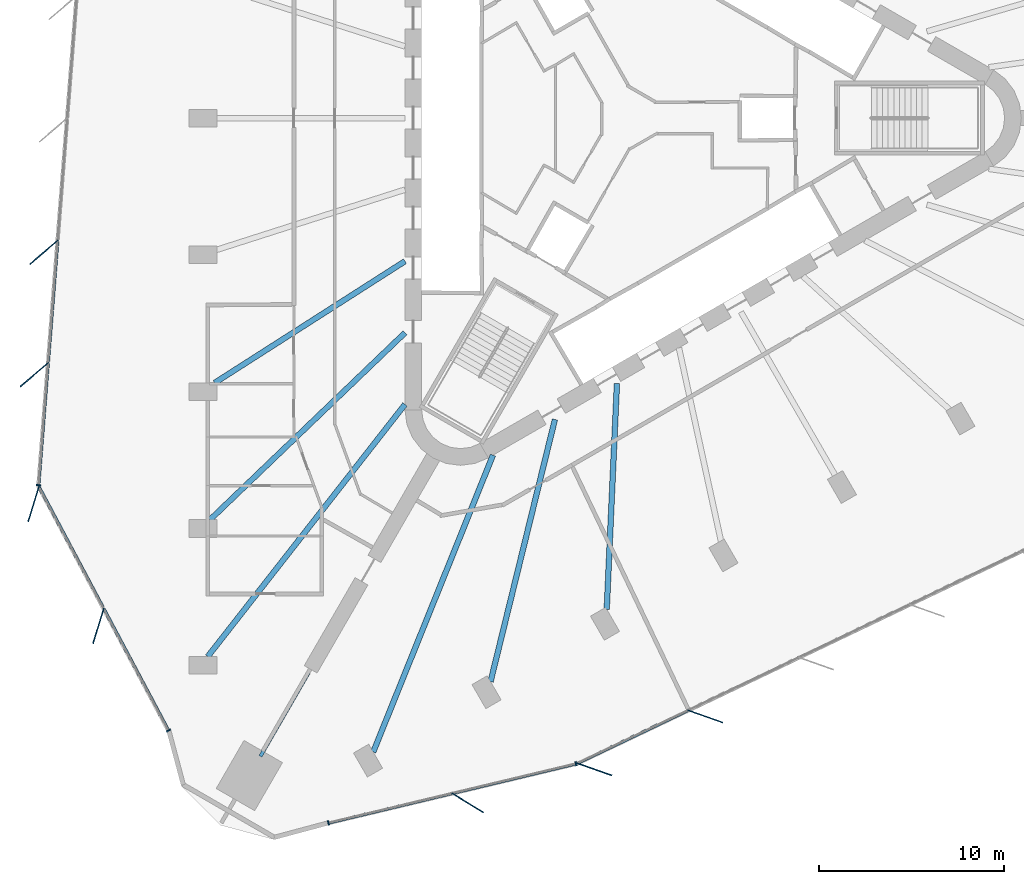
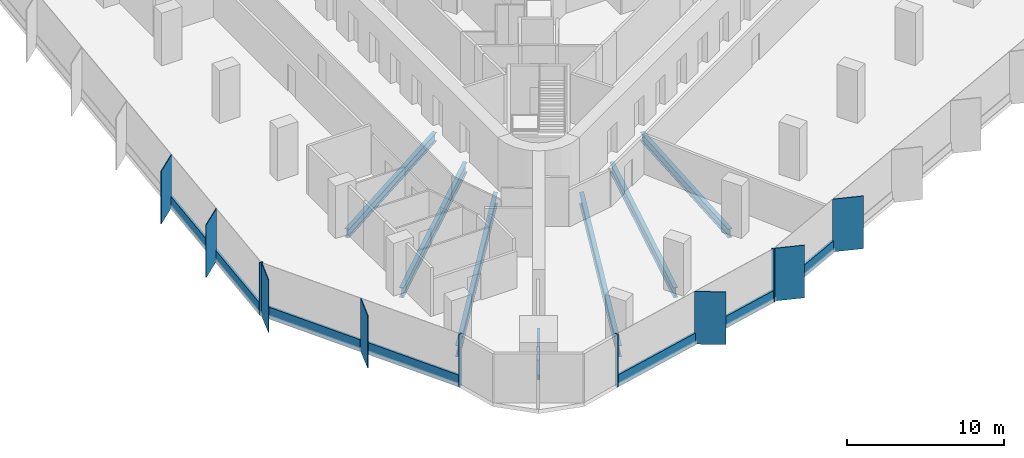
# One storey, part 2 of 15: 18 members, 7 beams, 4 elements without a shape of their own.
"""IFC4 building model written with IfcOpenShell, lengths in metres."""

from ifc_helpers import new_model, si_unit, direction, frame, origin, origin_2d, place, context, subcontext, project, spatial, rectangle, i_section, extrude, material, material_profile, profile_set, type_object, element, aggregate, save


model = new_model("IFC4")

# Units and contexts
model_context = context("Model", 3, precision=1e-05, world=origin(), true_north=direction((0.0, 1.0)))
body_context = subcontext(model_context, "Body", "Model", "MODEL_VIEW")
ifc_project = project(units=[si_unit("LENGTHUNIT", "METRE"), si_unit("AREAUNIT", "SQUARE_METRE"), si_unit("VOLUMEUNIT", "CUBIC_METRE"), si_unit("PLANEANGLEUNIT", "RADIAN"), si_unit("MASSUNIT", "GRAM", prefix="KILO")], contexts=[model_context])

# Site, building, storey
site_placement = place(None, origin())
site = spatial("IfcSite", under=ifc_project, at=site_placement, CompositionType="ELEMENT")
building_placement = place(site_placement, origin())
building = spatial("IfcBuilding", under=site, at=building_placement, Name="Tanit Gate Tower", CompositionType="ELEMENT")
storey_placement = place(building_placement, frame((0.0, 0.0, 94.699951171875)))
storey = spatial("IfcBuildingStorey", under=building, at=storey_placement, Name="L19", CompositionType="ELEMENT", Elevation=94.699951171875)

# Curtain wall, members
ifc_material_1 = material(Name="Aluminium bronze anodised and glass", Category="aluminium")
curtain_wall_type = type_object("IfcCurtainWallType", Name="Curtain wall typical low", PredefinedType="NOTDEFINED", material=ifc_material_1)
curtain_wall_1_placement = place(storey_placement, origin())
curtain_wall_1 = element("IfcCurtainWall", 1, at=curtain_wall_1_placement, inside=storey, type_object=curtain_wall_type, Name="Curtain wall L19 W2", PredefinedType="NOTDEFINED")
ifc_material_2 = material(Name="Aluminium bronze anodised", Category="aluminium")
ifc_material_profile_1 = material_profile(ifc_material_2, rectangle(XDim=2.0, YDim=0.055908203125, at=origin_2d()), Name="56x2000 bronze fin mullion")
ifc_profile_set_1 = profile_set([ifc_material_profile_1], Name="Aluminium bronze anodised")
member_type_1 = type_object("IfcMemberType", Name="FIN MULLION 56x2000 bronze", PredefinedType="MULLION", material=ifc_profile_set_1)
member_1_placement = place(storey_placement, frame((-31.606689453125, -7.2470703125, -0.300048828125), z_axis=(0.0, 0.0, 1.0), x_axis=(0.760001580735, 0.649921223903, 0.0)))
member_1 = element("IfcMember", 2, at=member_1_placement, type_object=member_type_1, Name="Fin mullion L19 W2.5", PredefinedType="MULLION", context=body_context, shape_type="SweptSolid", body=[
    extrude(rectangle(XDim=2.0, YDim=0.055908203125, at=origin_2d()), origin(), (0.0, 0.0, 1.0), 4.10009765625),
])
member_2_placement = place(storey_placement, frame((-32.123046875, -13.860595703125, -0.300048828125), z_axis=(0.0, 0.0, 1.0), x_axis=(0.760001580735, 0.649921223903, 0.0)))
member_2 = element("IfcMember", 3, at=member_2_placement, type_object=member_type_1, Name="Fin mullion L19 W2.6", PredefinedType="MULLION", context=body_context, shape_type="SweptSolid", body=[
    extrude(rectangle(XDim=2.0, YDim=0.055908203125, at=origin_2d()), origin(), (0.0, 0.0, 1.0), 4.10009765625),
])

curtain_wall_2_placement = place(storey_placement, origin())
curtain_wall_2 = element("IfcCurtainWall", 4, at=curtain_wall_2_placement, inside=storey, type_object=curtain_wall_type, Name="Curtain wall L19 W3", PredefinedType="NOTDEFINED")
member_3_placement = place(storey_placement, frame((-32.166748046875, -20.8486328125, -0.300048828125), z_axis=(0.0, 0.0, 1.0), x_axis=(0.292453863033, 0.956279633788, 0.0)))
member_3 = element("IfcMember", 5, at=member_3_placement, type_object=member_type_1, Name="Fin mullion L19 W3.1", PredefinedType="MULLION", context=body_context, shape_type="SweptSolid", body=[
    extrude(rectangle(XDim=2.0, YDim=0.055908203125, at=origin_2d()), origin(), (0.0, 0.0, 1.0), 4.10009765625),
])
member_4_placement = place(storey_placement, frame((-28.663330078125, -27.438720703125, -0.300048828125), z_axis=(0.0, 0.0, 1.0), x_axis=(0.292453863033, 0.956279633788, 0.0)))
member_4 = element("IfcMember", 6, at=member_4_placement, type_object=member_type_1, Name="Fin mullion L19 W3.2", PredefinedType="MULLION", context=body_context, shape_type="SweptSolid", body=[
    extrude(rectangle(XDim=2.0, YDim=0.055908203125, at=origin_2d()), origin(), (0.0, 0.0, 1.0), 4.10009765625),
])

# Curtain wall, member
curtain_wall_3_placement = place(storey_placement, origin())
curtain_wall_3 = element("IfcCurtainWall", 7, at=curtain_wall_3_placement, inside=storey, type_object=curtain_wall_type, Name="Curtain wall L19 SE1", PredefinedType="NOTDEFINED")
member_5_placement = place(storey_placement, frame((-8.71484375, -36.99755859375, -0.300048828125), z_axis=(0.0, 0.0, 1.0), x_axis=(-0.852082941543, 0.52340678323, 0.0)))
member_5 = element("IfcMember", 8, at=member_5_placement, type_object=member_type_1, Name="Fin mullion L19 SE1.2", PredefinedType="MULLION", context=body_context, shape_type="SweptSolid", body=[
    extrude(rectangle(XDim=2.0, YDim=0.055908203125, at=origin_2d()), origin(), (0.0, 0.0, 1.0), 4.10009765625),
])

# Curtain wall, members
curtain_wall_4_placement = place(storey_placement, origin())
curtain_wall_4 = element("IfcCurtainWall", 9, at=curtain_wall_4_placement, inside=storey, type_object=curtain_wall_type, Name="Curtain wall L19 SE2", PredefinedType="NOTDEFINED")
member_6_placement = place(storey_placement, frame((-1.86328125, -35.18701171875, -0.300048828125), z_axis=(0.0, 0.0, 1.0), x_axis=(-0.942849080727, 0.333220063881, 0.0)))
member_6 = element("IfcMember", 10, at=member_6_placement, type_object=member_type_1, Name="Fin mullion L19 SE2.1", PredefinedType="MULLION", context=body_context, shape_type="SweptSolid", body=[
    extrude(rectangle(XDim=2.0, YDim=0.055908203125, at=origin_2d()), origin(), (0.0, 0.0, 1.0), 4.10009765625),
])
member_7_placement = place(storey_placement, frame((4.122314453125, -32.327392578125, -0.300048828125), z_axis=(0.0, 0.0, 1.0), x_axis=(-0.942849080727, 0.333220063881, 0.0)))
member_7 = element("IfcMember", 11, at=member_7_placement, type_object=member_type_1, Name="Fin mullion L19 SE2.2", PredefinedType="MULLION", context=body_context, shape_type="SweptSolid", body=[
    extrude(rectangle(XDim=2.0, YDim=0.055908203125, at=origin_2d()), origin(), (0.0, 0.0, 1.0), 4.10009765625),
])

# Member
ifc_material_3 = material(Name="Aluminium bronze anodised", Category="aluminium")
ifc_material_profile_2 = material_profile(ifc_material_3, rectangle(XDim=0.239990234375, YDim=0.080078125, at=origin_2d()), Name="80x240 bronze mullion")
ifc_profile_set_2 = profile_set([ifc_material_profile_2], Name="Aluminium bronze anodised")
member_type_2 = type_object("IfcMemberType", Name="Mullion 80x240 typical low", PredefinedType="MULLION", material=ifc_profile_set_2)
member_8_placement = place(storey_placement, frame((-31.896484375, -19.8388671875, -0.300048828125), z_axis=(0.0, 0.0, 1.0), x_axis=(0.996965976109, -0.077838566791, 0.0)))
member_8 = element("IfcMember", 12, at=member_8_placement, type_object=member_type_2, Name="Mullion L19 W2.7", PredefinedType="MULLION", context=body_context, shape_type="SweptSolid", body=[
    extrude(rectangle(XDim=0.239990234375, YDim=0.080078125, at=origin_2d()), origin(), (0.0, 0.0, 1.0), 4.10009765625),
])

member_9_placement = place(storey_placement, frame((-24.874267578125, -33.093994140625, -0.300048828125), z_axis=(0.0, 0.0, 1.0), x_axis=(0.882987923497, 0.469395704027, 0.0)))
member_9 = element("IfcMember", 13, at=member_9_placement, type_object=member_type_2, Name="Mullion L19 W3.3", PredefinedType="MULLION", context=body_context, shape_type="SweptSolid", body=[
    extrude(rectangle(XDim=0.239990234375, YDim=0.080078125, at=origin_2d()), origin(), (0.0, 0.0, 1.0), 4.10009765625),
])

member_10_placement = place(storey_placement, frame((-16.23583984375, -38.083984375, -0.300048828125), z_axis=(0.0, 0.0, 1.0), x_axis=(-0.232409140358, 0.972618111839, 0.0)))
member_10 = element("IfcMember", 14, at=member_10_placement, type_object=member_type_2, Name="Mullion L19 SE1.1", PredefinedType="MULLION", context=body_context, shape_type="SweptSolid", body=[
    extrude(rectangle(XDim=0.239990234375, YDim=0.080078125, at=origin_2d()), origin(), (0.0, 0.0, 1.0), 4.10009765625),
])

member_11_placement = place(storey_placement, frame((-2.859619140625, -34.8876953125, -0.300048828125), z_axis=(0.0, 0.0, 1.0), x_axis=(-0.232409140358, 0.972618111839, 0.0)))
member_11 = element("IfcMember", 15, at=member_11_placement, type_object=member_type_2, Name="Mullion L19 SE1.3", PredefinedType="MULLION", context=body_context, shape_type="SweptSolid", body=[
    extrude(rectangle(XDim=0.239990234375, YDim=0.080078125, at=origin_2d()), origin(), (0.0, 0.0, 1.0), 4.10009765625),
])

# Beams
ifc_material_4 = material(Name="Steel S355", Category="steel")
ifc_material_profile_3 = material_profile(ifc_material_4, i_section(OverallWidth=0.300048828125, OverallDepth=0.68994140625, WebThickness=0.014404296875, FlangeThickness=0.027099609375, FilletRadius=0.027099609375, at=origin_2d()), Name="HEA 700")
ifc_profile_set_3 = profile_set([ifc_material_profile_3], Name="Steel S355")
beam_type_1 = type_object("IfcBeamType", Name="RADIAL GIRDER HEA 700 S355", PredefinedType="BEAM", material=ifc_profile_set_3)
for number, where, z_axis, x_axis, name in (
    (16, (-22.3837890625, -14.307861328125, -0.64501953125), (0.842570670287, 0.538585801494, 0.0), (-0.538585801494, 0.842570670287, 0.0), "RADIAL GIRDER"),
    (17, (-1.19921875, -26.538818359375, -0.64501953125), (0.045135401382, 0.998980878467, 0.0), (-0.998980878467, 0.045135401382, 0.0), "RADIAL GIRDER"),
):
    element("IfcBeam", number, at=place(storey_placement, frame(where, z_axis=z_axis, x_axis=x_axis)), inside=storey, type_object=beam_type_1, Name=name, PredefinedType="BEAM", context=body_context, shape_type="SweptSolid", body=[
        extrude(i_section(OverallWidth=0.300048828125, OverallDepth=0.68994140625, WebThickness=0.014404296875, FlangeThickness=0.027099609375, FilletRadius=0.027099609375, at=origin_2d()), origin(), (0.0, 0.0, 1.0), 12.202880859375),
    ])
ifc_material_5 = material(Name="Steel S355", Category="steel")
ifc_material_profile_4 = material_profile(ifc_material_5, i_section(OverallWidth=0.300048828125, OverallDepth=0.7900390625, WebThickness=0.014892578125, FlangeThickness=0.028076171875, FilletRadius=0.030029296875, at=origin_2d()), Name="HEA 800")
ifc_profile_set_4 = profile_set([ifc_material_profile_4], Name="Steel S355")
beam_type_2 = type_object("IfcBeamType", Name="RADIAL GIRDER HEA 800 S355", PredefinedType="BEAM", material=ifc_profile_set_4)
for number, where, z_axis, x_axis, name in (
    (18, (-22.63134765625, -21.69921875, -0.695068359375), (0.721812607452, 0.692088549048, 0.0), (-0.692088549048, 0.721812607452, 0.0), "RADIAL GIRDER"),
    (19, (-7.476318359375, -30.44921875, -0.695068359375), (0.238441937153, 0.97115675491, 0.0), (-0.97115675491, 0.238441937153, 0.0), "RADIAL GIRDER"),
):
    element("IfcBeam", number, at=place(storey_placement, frame(where, z_axis=z_axis, x_axis=x_axis)), inside=storey, type_object=beam_type_2, Name=name, PredefinedType="BEAM", context=body_context, shape_type="SweptSolid", body=[
        extrude(i_section(OverallWidth=0.300048828125, OverallDepth=0.7900390625, WebThickness=0.014892578125, FlangeThickness=0.028076171875, FilletRadius=0.030029296875, at=origin_2d()), origin(), (0.0, 0.0, 1.0), 14.58740234375),
    ])
ifc_material_6 = material(Name="Steel S355", Category="steel")
ifc_material_profile_5 = material_profile(ifc_material_6, i_section(OverallWidth=0.300048828125, OverallDepth=0.889892578125, WebThickness=0.01611328125, FlangeThickness=0.030029296875, FilletRadius=0.030029296875, at=origin_2d()), Name="HEA 900")
ifc_profile_set_5 = profile_set([ifc_material_profile_5], Name="Steel S355")
beam_type_3 = type_object("IfcBeamType", Name="RADIAL GIRDER HEA 900 S355", PredefinedType="BEAM", material=ifc_profile_set_5)
for number, where, z_axis, x_axis, name in (
    (20, (-22.755126953125, -29.0908203125, -0.744873046875), (0.616108365998, 0.787661400188, 0.0), (-0.787661400188, 0.616108365998, 0.0), "RADIAL GIRDER"),
    (21, (-13.815673828125, -34.251953125, -0.744873046875), (0.374069410217, 0.927400709693, 0.0), (-0.927400709693, 0.374069410217, 0.0), "RADIAL GIRDER"),
):
    element("IfcBeam", number, at=place(storey_placement, frame(where, z_axis=z_axis, x_axis=x_axis)), inside=storey, type_object=beam_type_3, Name=name, PredefinedType="BEAM", context=body_context, shape_type="SweptSolid", body=[
        extrude(i_section(OverallWidth=0.300048828125, OverallDepth=0.889892578125, WebThickness=0.01611328125, FlangeThickness=0.030029296875, FilletRadius=0.030029296875, at=origin_2d()), origin(), (0.0, 0.0, 1.0), 17.291015625),
    ])
ifc_material_7 = material(Name="Steel S355", Category="steel")
ifc_material_profile_6 = material_profile(ifc_material_7, i_section(OverallWidth=0.179931640625, OverallDepth=0.39990234375, WebThickness=0.008544921875, FlangeThickness=0.013427734375, FilletRadius=0.02099609375, at=origin_2d()), Name="IPE 400")
ifc_profile_set_6 = profile_set([ifc_material_profile_6], Name="Steel S355")
beam_type_4 = type_object("IfcBeamType", Name="RADIAL GIRDER IPE 400 S355", PredefinedType="BEAM", material=ifc_profile_set_6)
beam_placement = place(storey_placement, frame((-19.9091796875, -34.483642578125, -0.5), z_axis=(0.500022437694, 0.866012448988, 0.0), x_axis=(-0.866012448988, 0.500022437694, 0.0)))
element("IfcBeam", 22, at=beam_placement, inside=storey, type_object=beam_type_4, Name="RADIAL GIRDER", PredefinedType="BEAM", context=body_context, shape_type="SweptSolid", body=[
    extrude(i_section(OverallWidth=0.179931640625, OverallDepth=0.39990234375, WebThickness=0.008544921875, FlangeThickness=0.013427734375, FilletRadius=0.02099609375, at=origin_2d()), origin(), (0.0, 0.0, 1.0), 5.213134765625),
])

# Member
ifc_material_8 = material(Name="Aluminium bronze anodised", Category="aluminium")
ifc_material_profile_7 = material_profile(ifc_material_8, rectangle(XDim=0.159912109375, YDim=0.89990234375, at=origin_2d()), Name="160x900 bronze transom")
ifc_profile_set_7 = profile_set([ifc_material_profile_7], Name="Aluminium bronze anodised")
member_type_3 = type_object("IfcMemberType", Name="Transom 160x900 typical low", PredefinedType="USERDEFINED", material=ifc_profile_set_7)
member_12_placement = place(storey_placement, frame((-30.866943359375, -6.651611328125, 0.150146484375), z_axis=(-0.077821712604, -0.996967291864, 0.0), x_axis=(0.996967291864, -0.077821712604, 0.0)))
member_12 = element("IfcMember", 23, at=member_12_placement, type_object=member_type_3, Name="Transom L19 W2.5", ObjectType="TRANSOM", PredefinedType="USERDEFINED", context=body_context, shape_type="SweptSolid", body=[
    extrude(rectangle(XDim=0.159912109375, YDim=0.89990234375, at=origin_2d()), origin(), (0.0, 0.0, 1.0), 6.553466796875),
])

member_13_placement = place(storey_placement, frame((-31.38330078125, -13.26513671875, 0.150146484375), z_axis=(-0.077821712604, -0.996967291864, 0.0), x_axis=(0.996967291864, -0.077821712604, 0.0)))
member_13 = element("IfcMember", 24, at=member_13_placement, type_object=member_type_3, Name="Transom L19 W2.6", ObjectType="TRANSOM", PredefinedType="USERDEFINED", context=body_context, shape_type="SweptSolid", body=[
    extrude(rectangle(XDim=0.159912109375, YDim=0.89990234375, at=origin_2d()), origin(), (0.0, 0.0, 1.0), 6.553466796875),
])

aggregate(curtain_wall_1, [member_1, member_2, member_8, member_12, member_13])

member_14_placement = place(storey_placement, frame((-31.862060546875, -19.94921875, 0.150146484375), z_axis=(0.469400190999, -0.882985538211, 0.0), x_axis=(0.882985538211, 0.469400190999, 0.0)))
member_14 = element("IfcMember", 25, at=member_14_placement, type_object=member_type_3, Name="Transom L19 W3.1", ObjectType="TRANSOM", PredefinedType="USERDEFINED", context=body_context, shape_type="SweptSolid", body=[
    extrude(rectangle(XDim=0.159912109375, YDim=0.89990234375, at=origin_2d()), origin(), (0.0, 0.0, 1.0), 7.383544921875),
])

member_15_placement = place(storey_placement, frame((-28.35888671875, -26.539306640625, 0.150146484375), z_axis=(0.469413896188, -0.882978252318, 0.0), x_axis=(0.882978252318, 0.469413896188, 0.0)))
member_15 = element("IfcMember", 26, at=member_15_placement, type_object=member_type_3, Name="Transom L19 W3.2", ObjectType="TRANSOM", PredefinedType="USERDEFINED", context=body_context, shape_type="SweptSolid", body=[
    extrude(rectangle(XDim=0.159912109375, YDim=0.89990234375, at=origin_2d()), origin(), (0.0, 0.0, 1.0), 7.38330078125),
])

aggregate(curtain_wall_2, [member_3, member_4, member_9, member_14, member_15])

member_16_placement = place(storey_placement, frame((-16.19677734375, -38.07470703125, 0.150146484375), z_axis=(0.972615091914, 0.232421778197, 0.0), x_axis=(-0.232421778197, 0.972615091914, 0.0)))
member_16 = element("IfcMember", 27, at=member_16_placement, type_object=member_type_3, Name="Transom L19 SE1.1", ObjectType="TRANSOM", PredefinedType="USERDEFINED", context=body_context, shape_type="SweptSolid", body=[
    extrude(rectangle(XDim=0.159912109375, YDim=0.89990234375, at=origin_2d()), origin(), (0.0, 0.0, 1.0), 6.796142578125),
])

member_17_placement = place(storey_placement, frame((-9.5087890625, -36.4765625, 0.150146484375), z_axis=(0.972615091914, 0.232421778197, 0.0), x_axis=(-0.232421778197, 0.972615091914, 0.0)))
member_17 = element("IfcMember", 28, at=member_17_placement, type_object=member_type_3, Name="Transom L19 SE1.2", ObjectType="TRANSOM", PredefinedType="USERDEFINED", context=body_context, shape_type="SweptSolid", body=[
    extrude(rectangle(XDim=0.159912109375, YDim=0.89990234375, at=origin_2d()), origin(), (0.0, 0.0, 1.0), 6.796142578125),
])

aggregate(curtain_wall_3, [member_10, member_5, member_11, member_16, member_17])

member_18_placement = place(storey_placement, frame((-2.74853515625, -34.843994140625, 0.150146484375), z_axis=(0.902322009414, 0.4310626304, 0.0), x_axis=(-0.4310626304, 0.902322009414, 0.0)))
member_18 = element("IfcMember", 29, at=member_18_placement, type_object=member_type_3, Name="Transom L19 SE2.1", ObjectType="TRANSOM", PredefinedType="USERDEFINED", context=body_context, shape_type="SweptSolid", body=[
    extrude(rectangle(XDim=0.159912109375, YDim=0.89990234375, at=origin_2d()), origin(), (0.0, 0.0, 1.0), 6.553466796875),
])

aggregate(curtain_wall_4, [member_6, member_7, member_18])

save(model, "model.ifc")
